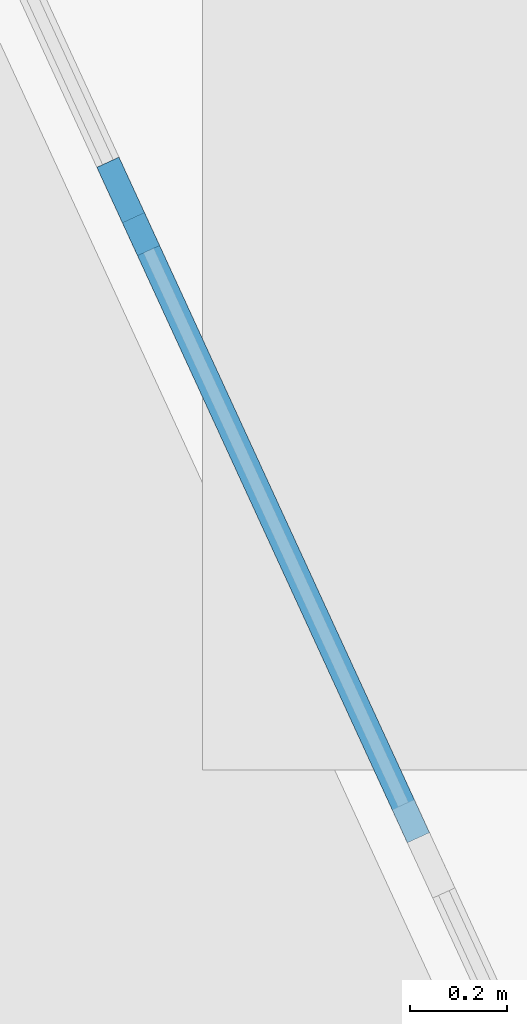
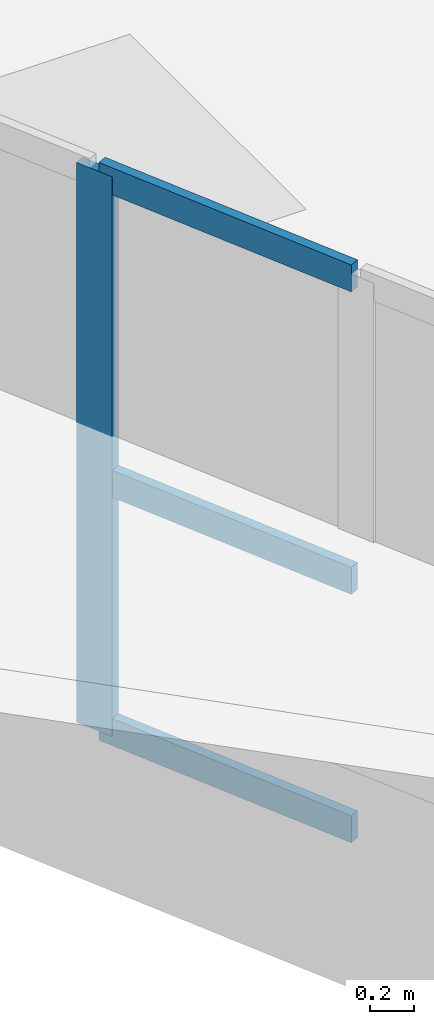
# One storey, part 124 of 173: 4 members, 1 element without a shape of its own.
"""IFC4 building model written with IfcOpenShell, lengths in metres."""

from ifc_helpers import new_model, si_unit, direction, frame, origin, origin_2d, place, context, subcontext, project, spatial, rectangle, extrude, material, material_profile, profile_set, type_object, element, aggregate, save


model = new_model("IFC4")

# Units and contexts
model_context = context("Model", 3, precision=1e-05, world=origin(), true_north=direction((0.0, 1.0)))
body_context = subcontext(model_context, "Body", "Model", "MODEL_VIEW")
ifc_project = project(units=[si_unit("LENGTHUNIT", "METRE"), si_unit("AREAUNIT", "SQUARE_METRE"), si_unit("VOLUMEUNIT", "CUBIC_METRE"), si_unit("PLANEANGLEUNIT", "RADIAN"), si_unit("MASSUNIT", "GRAM", prefix="KILO")], contexts=[model_context])

# Site, building, storey
site_placement = place(None, origin())
site = spatial("IfcSite", under=ifc_project, at=site_placement, CompositionType="ELEMENT")
building_placement = place(site_placement, origin())
building = spatial("IfcBuilding", under=site, at=building_placement, Name="Glasvene Arena", CompositionType="ELEMENT")
storey_placement = place(building_placement, frame((0.0, 0.0, 28.800048828125)))
storey = spatial("IfcBuildingStorey", under=building, at=storey_placement, Name="RF", CompositionType="ELEMENT", Elevation=28.800048828125)

# Curtain wall, members
ifc_material_1 = material(Name="Low-emissivity laminated double glazing", Category="glass")
curtain_wall_type = type_object("IfcCurtainWallType", Name="CW-DRUM-727x310", PredefinedType="USERDEFINED", material=ifc_material_1)
curtain_wall_placement = place(storey_placement, frame((140.075927734375, 87.07568359375, 0.0)))
curtain_wall = element("IfcCurtainWall", 1, at=curtain_wall_placement, inside=storey, type_object=curtain_wall_type, Name="Crown compression-ring fascia curtain wall 03", ObjectType="CURTAIN WALL", PredefinedType="USERDEFINED")
ifc_material_2 = material(Name="Anodised architectural aluminium", Category="aluminium")
ifc_material_profile_1 = material_profile(ifc_material_2, rectangle(XDim=0.050048828125, YDim=0.199951171875, at=origin_2d()), Name="ALU MULLION 50x200")
ifc_profile_set_1 = profile_set([ifc_material_profile_1], Name="Anodised architectural aluminium")
member_type_1 = type_object("IfcMemberType", Name="CW-MUL-180", PredefinedType="MULLION", material=ifc_profile_set_1)
member_1_placement = place(storey_placement, frame((137.6474609375, 92.358642578125, -1.380126953125), z_axis=(0.0, 0.0, 1.0), x_axis=(-0.908603046232, -0.417660752738, 0.0)))
member_1 = element("IfcMember", 2, at=member_1_placement, type_object=member_type_1, Name="CW-073 mullion 5", PredefinedType="MULLION", context=body_context, shape_type="SweptSolid", body=[
    extrude(rectangle(XDim=0.050048828125, YDim=0.199951171875, at=origin_2d()), origin(), (0.0, 0.0, 1.0), 3.10009765625),
])
ifc_material_profile_2 = material_profile(ifc_material_2, rectangle(XDim=0.050048828125, YDim=0.14990234375, at=origin_2d()), Name="ALU TRANSOM 50x150")
ifc_profile_set_2 = profile_set([ifc_material_profile_2], Name="Anodised architectural aluminium")
member_type_2 = type_object("IfcMemberType", Name="CW-TRN-150", PredefinedType="USERDEFINED", material=ifc_profile_set_2)
member_2_placement = place(storey_placement, frame((138.244140625, 91.060546875, -1.35498046875), z_axis=(-0.417612731634, 0.908625118724, 0.0), x_axis=(-0.908625118724, -0.417612731634, 0.0)))
member_2 = element("IfcMember", 3, at=member_2_placement, type_object=member_type_2, Name="CW-073 transom 4.1", ObjectType="TRANSOM", PredefinedType="USERDEFINED", context=body_context, shape_type="SweptSolid", body=[
    extrude(rectangle(XDim=0.050048828125, YDim=0.14990234375, at=origin_2d()), origin(), (0.0, 0.0, 1.0), 1.403564453125),
])
member_3_placement = place(storey_placement, frame((138.244140625, 91.060546875, 0.02001953125), z_axis=(-0.417612731634, 0.908625118724, 0.0), x_axis=(-0.908625118724, -0.417612731634, 0.0)))
member_3 = element("IfcMember", 4, at=member_3_placement, type_object=member_type_2, Name="CW-073 transom 4.2", ObjectType="TRANSOM", PredefinedType="USERDEFINED", context=body_context, shape_type="SweptSolid", body=[
    extrude(rectangle(XDim=0.050048828125, YDim=0.14990234375, at=origin_2d()), origin(), (0.0, 0.0, 1.0), 1.403564453125),
])
member_4_placement = place(storey_placement, frame((138.244140625, 91.060546875, 1.695068359375), z_axis=(-0.417612731634, 0.908625118724, 0.0), x_axis=(-0.908625118724, -0.417612731634, 0.0)))
member_4 = element("IfcMember", 5, at=member_4_placement, type_object=member_type_2, Name="CW-073 transom 4.3", ObjectType="TRANSOM", PredefinedType="USERDEFINED", context=body_context, shape_type="SweptSolid", body=[
    extrude(rectangle(XDim=0.050048828125, YDim=0.14990234375, at=origin_2d()), origin(), (0.0, 0.0, 1.0), 1.403564453125),
])
aggregate(curtain_wall, [member_1, member_2, member_3, member_4])

save(model, "model.ifc")
